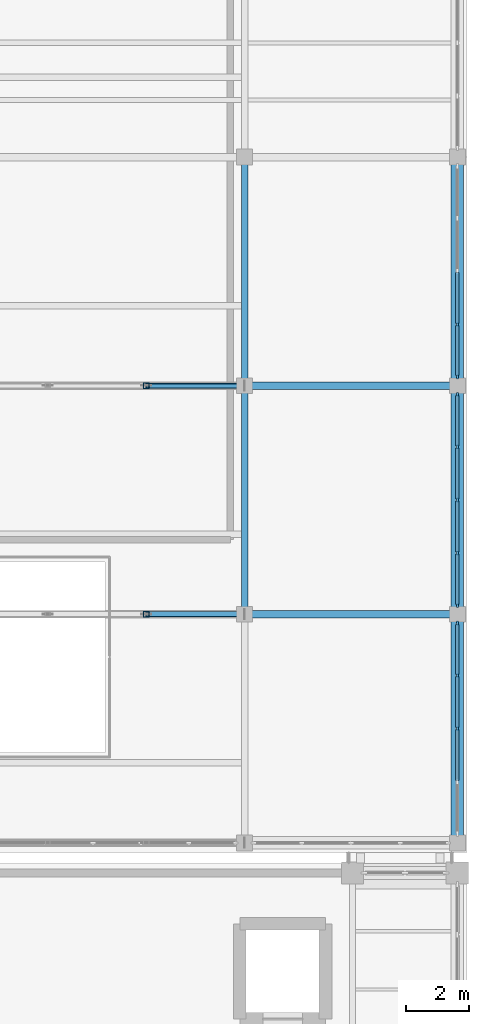
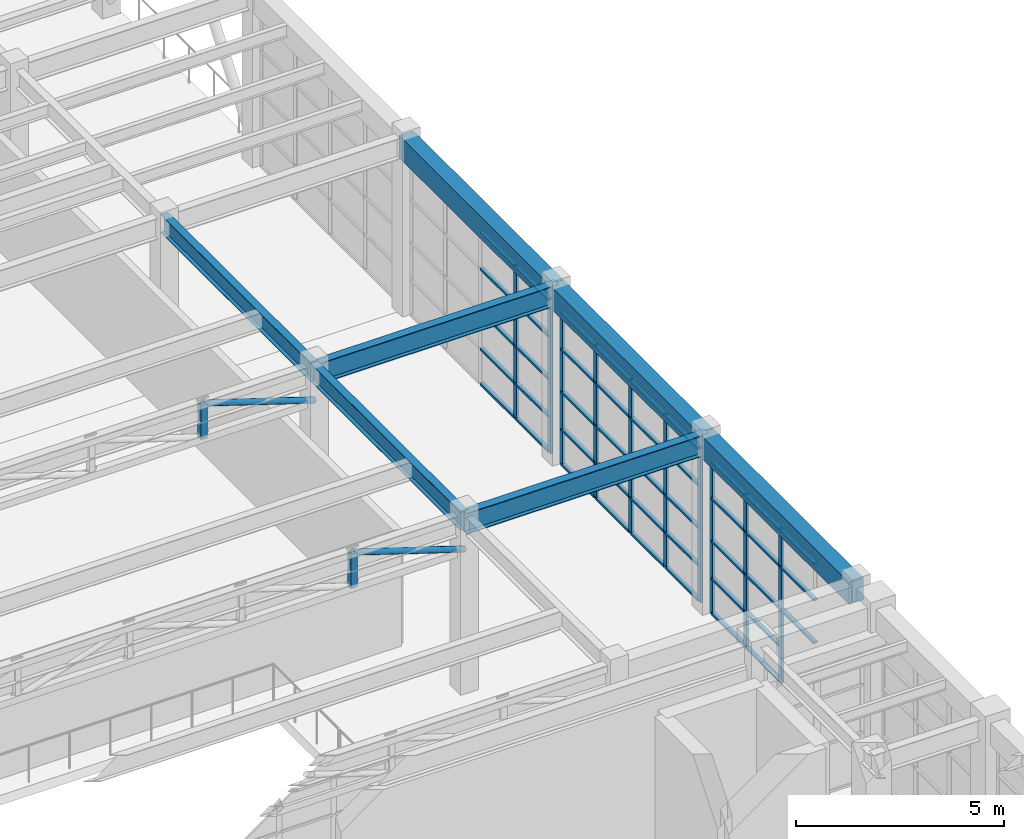
# One storey, part 52 of 103: 57 members, 7 beams, 3 elements without a shape of their own.
"""IFC4 building model written with IfcOpenShell, lengths in metres."""

from ifc_helpers import new_model, si_unit, direction, frame, origin, origin_2d, place, context, subcontext, project, spatial, rectangle, hollow_rectangle, hollow_circle, i_section, extrude, material, layer, layer_set, material_profile, profile_set, type_object, element, aggregate, save


model = new_model("IFC4")

# Units and contexts
model_context = context("Model", 3, precision=1e-05, world=origin(), true_north=direction((0.0, 1.0)))
body_context = subcontext(model_context, "Body", "Model", "MODEL_VIEW")
ifc_project = project(units=[si_unit("LENGTHUNIT", "METRE"), si_unit("AREAUNIT", "SQUARE_METRE"), si_unit("VOLUMEUNIT", "CUBIC_METRE"), si_unit("PLANEANGLEUNIT", "RADIAN"), si_unit("MASSUNIT", "GRAM", prefix="KILO")], contexts=[model_context])

# Site, building, storey
site_placement = place(None, origin())
site = spatial("IfcSite", under=ifc_project, at=site_placement, CompositionType="ELEMENT")
building_placement = place(site_placement, origin())
building = spatial("IfcBuilding", under=site, at=building_placement, Name="Candilejo Ridge Gondola Terminal", CompositionType="ELEMENT")
storey_placement = place(building_placement, frame((0.0, 0.0, 9.0)))
storey = spatial("IfcBuildingStorey", under=building, at=storey_placement, Name="L02", CompositionType="ELEMENT", Elevation=9.0)

# Curtain wall, members
ifc_material_1 = material(Name="Anodised aluminium AA 6063-T6", Category="aluminium")
ifc_layer = layer(ifc_material_1, 0.169921875)
ifc_layer_set = layer_set([ifc_layer], Name="ARC-CW-TOWER-3000-670X449")
curtain_wall_type = type_object("IfcCurtainWallType", Name="ARC-CW-TOWER-3000-670X449", PredefinedType="NOTDEFINED", material=ifc_layer_set)
curtain_wall_1_placement = place(storey_placement, origin())
curtain_wall_1 = element("IfcCurtainWall", 1, at=curtain_wall_1_placement, inside=storey, type_object=curtain_wall_type, Name="Curtain wall V5 L02-175", PredefinedType="NOTDEFINED")
ifc_material_2 = material(Name="Anodised aluminium AA 6063-T6", Category="aluminium")
ifc_material_profile_1 = material_profile(ifc_material_2, rectangle(XDim=0.06494140625, YDim=0.14990234375, at=origin_2d()))
ifc_profile_set_1 = profile_set([ifc_material_profile_1], Name="Anodised aluminium AA 6063-T6")
member_type_1 = type_object("IfcMemberType", Name="ARC-CW-MULLION-150", PredefinedType="MULLION", material=ifc_profile_set_1)
member_1_placement = place(storey_placement, frame((175.300048828125, 52.25, 0.0), z_axis=(0.0, 0.0, 1.0), x_axis=(-1.0, 0.0, 0.0)))
member_1 = element("IfcMember", 2, at=member_1_placement, type_object=member_type_1, Name="CW-67X44 mullion 3", PredefinedType="MULLION", context=body_context, shape_type="SweptSolid", body=[
    extrude(rectangle(XDim=0.06494140625, YDim=0.14990234375, at=origin_2d()), origin(), (0.0, 0.0, 1.0), 4.489990234375),
])
member_2_placement = place(storey_placement, frame((175.300048828125, 53.925048828125, 0.0), z_axis=(0.0, 0.0, 1.0), x_axis=(-1.0, 0.0, 0.0)))
member_2 = element("IfcMember", 3, at=member_2_placement, type_object=member_type_1, Name="CW-67X44 mullion 4", PredefinedType="MULLION", context=body_context, shape_type="SweptSolid", body=[
    extrude(rectangle(XDim=0.06494140625, YDim=0.14990234375, at=origin_2d()), origin(), (0.0, 0.0, 1.0), 4.489990234375),
])
member_3_placement = place(storey_placement, frame((175.300048828125, 55.5673828125, 0.0), z_axis=(0.0, 0.0, 1.0), x_axis=(-1.0, 0.0, 0.0)))
member_3 = element("IfcMember", 4, at=member_3_placement, type_object=member_type_1, Name="CW-67X44 mullion 5", PredefinedType="MULLION", context=body_context, shape_type="SweptSolid", body=[
    extrude(rectangle(XDim=0.06494140625, YDim=0.14990234375, at=origin_2d()), origin(), (0.0, 0.0, 1.0), 4.489990234375),
])

curtain_wall_2_placement = place(storey_placement, origin())
curtain_wall_2 = element("IfcCurtainWall", 5, at=curtain_wall_2_placement, inside=storey, type_object=curtain_wall_type, Name="Curtain wall V5 L02-177", PredefinedType="NOTDEFINED")
member_4_placement = place(storey_placement, frame((175.300048828125, 56.132568359375, 0.0), z_axis=(0.0, 0.0, 1.0), x_axis=(-1.0, 0.0, 0.0)))
member_4 = element("IfcMember", 6, at=member_4_placement, type_object=member_type_1, Name="CW-67X44 mullion 1", PredefinedType="MULLION", context=body_context, shape_type="SweptSolid", body=[
    extrude(rectangle(XDim=0.06494140625, YDim=0.14990234375, at=origin_2d()), origin(), (0.0, 0.0, 1.0), 4.489990234375),
])
member_5_placement = place(storey_placement, frame((175.300048828125, 57.77490234375, 0.0), z_axis=(0.0, 0.0, 1.0), x_axis=(-1.0, 0.0, 0.0)))
member_5 = element("IfcMember", 7, at=member_5_placement, type_object=member_type_1, Name="CW-67X44 mullion 2", PredefinedType="MULLION", context=body_context, shape_type="SweptSolid", body=[
    extrude(rectangle(XDim=0.06494140625, YDim=0.14990234375, at=origin_2d()), origin(), (0.0, 0.0, 1.0), 4.489990234375),
])
member_6_placement = place(storey_placement, frame((175.300048828125, 59.449951171875, 0.0), z_axis=(0.0, 0.0, 1.0), x_axis=(-1.0, 0.0, 0.0)))
member_6 = element("IfcMember", 8, at=member_6_placement, type_object=member_type_1, Name="CW-67X44 mullion 3", PredefinedType="MULLION", context=body_context, shape_type="SweptSolid", body=[
    extrude(rectangle(XDim=0.06494140625, YDim=0.14990234375, at=origin_2d()), origin(), (0.0, 0.0, 1.0), 4.489990234375),
])
member_7_placement = place(storey_placement, frame((175.300048828125, 61.125, 0.0), z_axis=(0.0, 0.0, 1.0), x_axis=(-1.0, 0.0, 0.0)))
member_7 = element("IfcMember", 9, at=member_7_placement, type_object=member_type_1, Name="CW-67X44 mullion 4", PredefinedType="MULLION", context=body_context, shape_type="SweptSolid", body=[
    extrude(rectangle(XDim=0.06494140625, YDim=0.14990234375, at=origin_2d()), origin(), (0.0, 0.0, 1.0), 4.489990234375),
])
member_8_placement = place(storey_placement, frame((175.300048828125, 62.767578125, 0.0), z_axis=(0.0, 0.0, 1.0), x_axis=(-1.0, 0.0, 0.0)))
member_8 = element("IfcMember", 10, at=member_8_placement, type_object=member_type_1, Name="CW-67X44 mullion 5", PredefinedType="MULLION", context=body_context, shape_type="SweptSolid", body=[
    extrude(rectangle(XDim=0.06494140625, YDim=0.14990234375, at=origin_2d()), origin(), (0.0, 0.0, 1.0), 4.489990234375),
])

curtain_wall_3_placement = place(storey_placement, origin())
curtain_wall_3 = element("IfcCurtainWall", 11, at=curtain_wall_3_placement, inside=storey, type_object=curtain_wall_type, Name="Curtain wall V5 L02-179", PredefinedType="NOTDEFINED")
member_9_placement = place(storey_placement, frame((175.300048828125, 63.33251953125, 0.0), z_axis=(0.0, 0.0, 1.0), x_axis=(-1.0, 0.0, 0.0)))
member_9 = element("IfcMember", 12, at=member_9_placement, type_object=member_type_1, Name="CW-67X44 mullion 1", PredefinedType="MULLION", context=body_context, shape_type="SweptSolid", body=[
    extrude(rectangle(XDim=0.06494140625, YDim=0.14990234375, at=origin_2d()), origin(), (0.0, 0.0, 1.0), 4.489990234375),
])
member_10_placement = place(storey_placement, frame((175.300048828125, 64.97509765625, 0.0), z_axis=(0.0, 0.0, 1.0), x_axis=(-1.0, 0.0, 0.0)))
member_10 = element("IfcMember", 13, at=member_10_placement, type_object=member_type_1, Name="CW-67X44 mullion 2", PredefinedType="MULLION", context=body_context, shape_type="SweptSolid", body=[
    extrude(rectangle(XDim=0.06494140625, YDim=0.14990234375, at=origin_2d()), origin(), (0.0, 0.0, 1.0), 4.489990234375),
])

# Member
ifc_material_3 = material(Name="Anodised aluminium AA 6063-T6", Category="aluminium")
ifc_material_profile_2 = material_profile(ifc_material_3, rectangle(XDim=0.110107421875, YDim=0.06005859375, at=origin_2d()))
ifc_profile_set_2 = profile_set([ifc_material_profile_2], Name="Anodised aluminium AA 6063-T6")
member_type_2 = type_object("IfcMemberType", Name="ARC-CW-TRANSOM-110", PredefinedType="USERDEFINED", material=ifc_profile_set_2)
member_11_placement = place(storey_placement, frame((175.300048828125, 50.607421875, 2.14990234375), z_axis=(0.0, 1.0, 0.0), x_axis=(-1.0, 0.0, 0.0)))
member_11 = element("IfcMember", 14, at=member_11_placement, type_object=member_type_2, Name="CW-67X44 transom 2.3", ObjectType="TRANSOM", PredefinedType="USERDEFINED", context=body_context, shape_type="SweptSolid", body=[
    extrude(rectangle(XDim=0.110107421875, YDim=0.06005859375, at=origin_2d()), origin(), (0.0, 0.0, 1.0), 1.610107421875),
])

member_12_placement = place(storey_placement, frame((175.300048828125, 50.607421875, 3.39990234375), z_axis=(0.0, 1.0, 0.0), x_axis=(-1.0, 0.0, 0.0)))
member_12 = element("IfcMember", 15, at=member_12_placement, type_object=member_type_2, Name="CW-67X44 transom 2.4", ObjectType="TRANSOM", PredefinedType="USERDEFINED", context=body_context, shape_type="SweptSolid", body=[
    extrude(rectangle(XDim=0.110107421875, YDim=0.06005859375, at=origin_2d()), origin(), (0.0, 0.0, 1.0), 1.610107421875),
])

member_13_placement = place(storey_placement, frame((175.300048828125, 50.607421875, 4.4599609375), z_axis=(0.0, 1.0, 0.0), x_axis=(-1.0, 0.0, 0.0)))
member_13 = element("IfcMember", 16, at=member_13_placement, type_object=member_type_2, Name="CW-67X44 transom 2.5", ObjectType="TRANSOM", PredefinedType="USERDEFINED", context=body_context, shape_type="SweptSolid", body=[
    extrude(rectangle(XDim=0.110107421875, YDim=0.06005859375, at=origin_2d()), origin(), (0.0, 0.0, 1.0), 1.610107421875),
])

member_14_placement = place(storey_placement, frame((175.300048828125, 52.282470703125, 0.030029296875), z_axis=(0.0, 1.0, 0.0), x_axis=(-1.0, 0.0, 0.0)))
member_14 = element("IfcMember", 17, at=member_14_placement, type_object=member_type_2, Name="CW-67X44 transom 3.1", ObjectType="TRANSOM", PredefinedType="USERDEFINED", context=body_context, shape_type="SweptSolid", body=[
    extrude(rectangle(XDim=0.110107421875, YDim=0.06005859375, at=origin_2d()), origin(), (0.0, 0.0, 1.0), 1.610107421875),
])

member_15_placement = place(storey_placement, frame((175.300048828125, 52.282470703125, 1.050048828125), z_axis=(0.0, 1.0, 0.0), x_axis=(-1.0, 0.0, 0.0)))
member_15 = element("IfcMember", 18, at=member_15_placement, type_object=member_type_2, Name="CW-67X44 transom 3.2", ObjectType="TRANSOM", PredefinedType="USERDEFINED", context=body_context, shape_type="SweptSolid", body=[
    extrude(rectangle(XDim=0.110107421875, YDim=0.06005859375, at=origin_2d()), origin(), (0.0, 0.0, 1.0), 1.610107421875),
])

member_16_placement = place(storey_placement, frame((175.300048828125, 52.282470703125, 2.14990234375), z_axis=(0.0, 1.0, 0.0), x_axis=(-1.0, 0.0, 0.0)))
member_16 = element("IfcMember", 19, at=member_16_placement, type_object=member_type_2, Name="CW-67X44 transom 3.3", ObjectType="TRANSOM", PredefinedType="USERDEFINED", context=body_context, shape_type="SweptSolid", body=[
    extrude(rectangle(XDim=0.110107421875, YDim=0.06005859375, at=origin_2d()), origin(), (0.0, 0.0, 1.0), 1.610107421875),
])

member_17_placement = place(storey_placement, frame((175.300048828125, 52.282470703125, 3.39990234375), z_axis=(0.0, 1.0, 0.0), x_axis=(-1.0, 0.0, 0.0)))
member_17 = element("IfcMember", 20, at=member_17_placement, type_object=member_type_2, Name="CW-67X44 transom 3.4", ObjectType="TRANSOM", PredefinedType="USERDEFINED", context=body_context, shape_type="SweptSolid", body=[
    extrude(rectangle(XDim=0.110107421875, YDim=0.06005859375, at=origin_2d()), origin(), (0.0, 0.0, 1.0), 1.610107421875),
])

member_18_placement = place(storey_placement, frame((175.300048828125, 52.282470703125, 4.4599609375), z_axis=(0.0, 1.0, 0.0), x_axis=(-1.0, 0.0, 0.0)))
member_18 = element("IfcMember", 21, at=member_18_placement, type_object=member_type_2, Name="CW-67X44 transom 3.5", ObjectType="TRANSOM", PredefinedType="USERDEFINED", context=body_context, shape_type="SweptSolid", body=[
    extrude(rectangle(XDim=0.110107421875, YDim=0.06005859375, at=origin_2d()), origin(), (0.0, 0.0, 1.0), 1.610107421875),
])

member_19_placement = place(storey_placement, frame((175.300048828125, 53.95751953125, 0.030029296875), z_axis=(0.0, 1.0, 0.0), x_axis=(-1.0, 0.0, 0.0)))
member_19 = element("IfcMember", 22, at=member_19_placement, type_object=member_type_2, Name="CW-67X44 transom 4.1", ObjectType="TRANSOM", PredefinedType="USERDEFINED", context=body_context, shape_type="SweptSolid", body=[
    extrude(rectangle(XDim=0.110107421875, YDim=0.06005859375, at=origin_2d()), origin(), (0.0, 0.0, 1.0), 1.577392578125),
])

member_20_placement = place(storey_placement, frame((175.300048828125, 53.95751953125, 1.050048828125), z_axis=(0.0, 1.0, 0.0), x_axis=(-1.0, 0.0, 0.0)))
member_20 = element("IfcMember", 23, at=member_20_placement, type_object=member_type_2, Name="CW-67X44 transom 4.2", ObjectType="TRANSOM", PredefinedType="USERDEFINED", context=body_context, shape_type="SweptSolid", body=[
    extrude(rectangle(XDim=0.110107421875, YDim=0.06005859375, at=origin_2d()), origin(), (0.0, 0.0, 1.0), 1.577392578125),
])

member_21_placement = place(storey_placement, frame((175.300048828125, 53.95751953125, 2.14990234375), z_axis=(0.0, 1.0, 0.0), x_axis=(-1.0, 0.0, 0.0)))
member_21 = element("IfcMember", 24, at=member_21_placement, type_object=member_type_2, Name="CW-67X44 transom 4.3", ObjectType="TRANSOM", PredefinedType="USERDEFINED", context=body_context, shape_type="SweptSolid", body=[
    extrude(rectangle(XDim=0.110107421875, YDim=0.06005859375, at=origin_2d()), origin(), (0.0, 0.0, 1.0), 1.577392578125),
])

member_22_placement = place(storey_placement, frame((175.300048828125, 53.95751953125, 3.39990234375), z_axis=(0.0, 1.0, 0.0), x_axis=(-1.0, 0.0, 0.0)))
member_22 = element("IfcMember", 25, at=member_22_placement, type_object=member_type_2, Name="CW-67X44 transom 4.4", ObjectType="TRANSOM", PredefinedType="USERDEFINED", context=body_context, shape_type="SweptSolid", body=[
    extrude(rectangle(XDim=0.110107421875, YDim=0.06005859375, at=origin_2d()), origin(), (0.0, 0.0, 1.0), 1.577392578125),
])

member_23_placement = place(storey_placement, frame((175.300048828125, 53.95751953125, 4.4599609375), z_axis=(0.0, 1.0, 0.0), x_axis=(-1.0, 0.0, 0.0)))
member_23 = element("IfcMember", 26, at=member_23_placement, type_object=member_type_2, Name="CW-67X44 transom 4.5", ObjectType="TRANSOM", PredefinedType="USERDEFINED", context=body_context, shape_type="SweptSolid", body=[
    extrude(rectangle(XDim=0.110107421875, YDim=0.06005859375, at=origin_2d()), origin(), (0.0, 0.0, 1.0), 1.577392578125),
])

aggregate(curtain_wall_1, [member_1, member_2, member_3, member_11, member_12, member_13, member_14, member_15, member_16, member_17, member_18, member_19, member_20, member_21, member_22, member_23])

member_24_placement = place(storey_placement, frame((175.300048828125, 56.1650390625, 0.030029296875), z_axis=(0.0, 1.0, 0.0), x_axis=(-1.0, 0.0, 0.0)))
member_24 = element("IfcMember", 27, at=member_24_placement, type_object=member_type_2, Name="CW-67X44 transom 1.1", ObjectType="TRANSOM", PredefinedType="USERDEFINED", context=body_context, shape_type="SweptSolid", body=[
    extrude(rectangle(XDim=0.110107421875, YDim=0.06005859375, at=origin_2d()), origin(), (0.0, 0.0, 1.0), 1.577392578125),
])

member_25_placement = place(storey_placement, frame((175.300048828125, 56.1650390625, 1.050048828125), z_axis=(0.0, 1.0, 0.0), x_axis=(-1.0, 0.0, 0.0)))
member_25 = element("IfcMember", 28, at=member_25_placement, type_object=member_type_2, Name="CW-67X44 transom 1.2", ObjectType="TRANSOM", PredefinedType="USERDEFINED", context=body_context, shape_type="SweptSolid", body=[
    extrude(rectangle(XDim=0.110107421875, YDim=0.06005859375, at=origin_2d()), origin(), (0.0, 0.0, 1.0), 1.577392578125),
])

member_26_placement = place(storey_placement, frame((175.300048828125, 56.1650390625, 2.14990234375), z_axis=(0.0, 1.0, 0.0), x_axis=(-1.0, 0.0, 0.0)))
member_26 = element("IfcMember", 29, at=member_26_placement, type_object=member_type_2, Name="CW-67X44 transom 1.3", ObjectType="TRANSOM", PredefinedType="USERDEFINED", context=body_context, shape_type="SweptSolid", body=[
    extrude(rectangle(XDim=0.110107421875, YDim=0.06005859375, at=origin_2d()), origin(), (0.0, 0.0, 1.0), 1.577392578125),
])

member_27_placement = place(storey_placement, frame((175.300048828125, 56.1650390625, 3.39990234375), z_axis=(0.0, 1.0, 0.0), x_axis=(-1.0, 0.0, 0.0)))
member_27 = element("IfcMember", 30, at=member_27_placement, type_object=member_type_2, Name="CW-67X44 transom 1.4", ObjectType="TRANSOM", PredefinedType="USERDEFINED", context=body_context, shape_type="SweptSolid", body=[
    extrude(rectangle(XDim=0.110107421875, YDim=0.06005859375, at=origin_2d()), origin(), (0.0, 0.0, 1.0), 1.577392578125),
])

member_28_placement = place(storey_placement, frame((175.300048828125, 56.1650390625, 4.4599609375), z_axis=(0.0, 1.0, 0.0), x_axis=(-1.0, 0.0, 0.0)))
member_28 = element("IfcMember", 31, at=member_28_placement, type_object=member_type_2, Name="CW-67X44 transom 1.5", ObjectType="TRANSOM", PredefinedType="USERDEFINED", context=body_context, shape_type="SweptSolid", body=[
    extrude(rectangle(XDim=0.110107421875, YDim=0.06005859375, at=origin_2d()), origin(), (0.0, 0.0, 1.0), 1.577392578125),
])

member_29_placement = place(storey_placement, frame((175.300048828125, 57.8076171875, 0.030029296875), z_axis=(0.0, 1.0, 0.0), x_axis=(-1.0, 0.0, 0.0)))
member_29 = element("IfcMember", 32, at=member_29_placement, type_object=member_type_2, Name="CW-67X44 transom 2.1", ObjectType="TRANSOM", PredefinedType="USERDEFINED", context=body_context, shape_type="SweptSolid", body=[
    extrude(rectangle(XDim=0.110107421875, YDim=0.06005859375, at=origin_2d()), origin(), (0.0, 0.0, 1.0), 1.60986328125),
])

member_30_placement = place(storey_placement, frame((175.300048828125, 57.8076171875, 1.050048828125), z_axis=(0.0, 1.0, 0.0), x_axis=(-1.0, 0.0, 0.0)))
member_30 = element("IfcMember", 33, at=member_30_placement, type_object=member_type_2, Name="CW-67X44 transom 2.2", ObjectType="TRANSOM", PredefinedType="USERDEFINED", context=body_context, shape_type="SweptSolid", body=[
    extrude(rectangle(XDim=0.110107421875, YDim=0.06005859375, at=origin_2d()), origin(), (0.0, 0.0, 1.0), 1.60986328125),
])

member_31_placement = place(storey_placement, frame((175.300048828125, 57.8076171875, 2.14990234375), z_axis=(0.0, 1.0, 0.0), x_axis=(-1.0, 0.0, 0.0)))
member_31 = element("IfcMember", 34, at=member_31_placement, type_object=member_type_2, Name="CW-67X44 transom 2.3", ObjectType="TRANSOM", PredefinedType="USERDEFINED", context=body_context, shape_type="SweptSolid", body=[
    extrude(rectangle(XDim=0.110107421875, YDim=0.06005859375, at=origin_2d()), origin(), (0.0, 0.0, 1.0), 1.60986328125),
])

member_32_placement = place(storey_placement, frame((175.300048828125, 57.8076171875, 3.39990234375), z_axis=(0.0, 1.0, 0.0), x_axis=(-1.0, 0.0, 0.0)))
member_32 = element("IfcMember", 35, at=member_32_placement, type_object=member_type_2, Name="CW-67X44 transom 2.4", ObjectType="TRANSOM", PredefinedType="USERDEFINED", context=body_context, shape_type="SweptSolid", body=[
    extrude(rectangle(XDim=0.110107421875, YDim=0.06005859375, at=origin_2d()), origin(), (0.0, 0.0, 1.0), 1.60986328125),
])

member_33_placement = place(storey_placement, frame((175.300048828125, 57.8076171875, 4.4599609375), z_axis=(0.0, 1.0, 0.0), x_axis=(-1.0, 0.0, 0.0)))
member_33 = element("IfcMember", 36, at=member_33_placement, type_object=member_type_2, Name="CW-67X44 transom 2.5", ObjectType="TRANSOM", PredefinedType="USERDEFINED", context=body_context, shape_type="SweptSolid", body=[
    extrude(rectangle(XDim=0.110107421875, YDim=0.06005859375, at=origin_2d()), origin(), (0.0, 0.0, 1.0), 1.60986328125),
])

member_34_placement = place(storey_placement, frame((175.300048828125, 59.482421875, 0.030029296875), z_axis=(0.0, 1.0, 0.0), x_axis=(-1.0, 0.0, 0.0)))
member_34 = element("IfcMember", 37, at=member_34_placement, type_object=member_type_2, Name="CW-67X44 transom 3.1", ObjectType="TRANSOM", PredefinedType="USERDEFINED", context=body_context, shape_type="SweptSolid", body=[
    extrude(rectangle(XDim=0.110107421875, YDim=0.06005859375, at=origin_2d()), origin(), (0.0, 0.0, 1.0), 1.610107421875),
])

member_35_placement = place(storey_placement, frame((175.300048828125, 59.482421875, 1.050048828125), z_axis=(0.0, 1.0, 0.0), x_axis=(-1.0, 0.0, 0.0)))
member_35 = element("IfcMember", 38, at=member_35_placement, type_object=member_type_2, Name="CW-67X44 transom 3.2", ObjectType="TRANSOM", PredefinedType="USERDEFINED", context=body_context, shape_type="SweptSolid", body=[
    extrude(rectangle(XDim=0.110107421875, YDim=0.06005859375, at=origin_2d()), origin(), (0.0, 0.0, 1.0), 1.610107421875),
])

member_36_placement = place(storey_placement, frame((175.300048828125, 59.482421875, 2.14990234375), z_axis=(0.0, 1.0, 0.0), x_axis=(-1.0, 0.0, 0.0)))
member_36 = element("IfcMember", 39, at=member_36_placement, type_object=member_type_2, Name="CW-67X44 transom 3.3", ObjectType="TRANSOM", PredefinedType="USERDEFINED", context=body_context, shape_type="SweptSolid", body=[
    extrude(rectangle(XDim=0.110107421875, YDim=0.06005859375, at=origin_2d()), origin(), (0.0, 0.0, 1.0), 1.610107421875),
])

member_37_placement = place(storey_placement, frame((175.300048828125, 59.482421875, 3.39990234375), z_axis=(0.0, 1.0, 0.0), x_axis=(-1.0, 0.0, 0.0)))
member_37 = element("IfcMember", 40, at=member_37_placement, type_object=member_type_2, Name="CW-67X44 transom 3.4", ObjectType="TRANSOM", PredefinedType="USERDEFINED", context=body_context, shape_type="SweptSolid", body=[
    extrude(rectangle(XDim=0.110107421875, YDim=0.06005859375, at=origin_2d()), origin(), (0.0, 0.0, 1.0), 1.610107421875),
])

member_38_placement = place(storey_placement, frame((175.300048828125, 59.482421875, 4.4599609375), z_axis=(0.0, 1.0, 0.0), x_axis=(-1.0, 0.0, 0.0)))
member_38 = element("IfcMember", 41, at=member_38_placement, type_object=member_type_2, Name="CW-67X44 transom 3.5", ObjectType="TRANSOM", PredefinedType="USERDEFINED", context=body_context, shape_type="SweptSolid", body=[
    extrude(rectangle(XDim=0.110107421875, YDim=0.06005859375, at=origin_2d()), origin(), (0.0, 0.0, 1.0), 1.610107421875),
])

member_39_placement = place(storey_placement, frame((175.300048828125, 61.157470703125, 0.030029296875), z_axis=(0.0, 1.0, 0.0), x_axis=(-1.0, 0.0, 0.0)))
member_39 = element("IfcMember", 42, at=member_39_placement, type_object=member_type_2, Name="CW-67X44 transom 4.1", ObjectType="TRANSOM", PredefinedType="USERDEFINED", context=body_context, shape_type="SweptSolid", body=[
    extrude(rectangle(XDim=0.110107421875, YDim=0.06005859375, at=origin_2d()), origin(), (0.0, 0.0, 1.0), 1.57763671875),
])

member_40_placement = place(storey_placement, frame((175.300048828125, 61.157470703125, 1.050048828125), z_axis=(0.0, 1.0, 0.0), x_axis=(-1.0, 0.0, 0.0)))
member_40 = element("IfcMember", 43, at=member_40_placement, type_object=member_type_2, Name="CW-67X44 transom 4.2", ObjectType="TRANSOM", PredefinedType="USERDEFINED", context=body_context, shape_type="SweptSolid", body=[
    extrude(rectangle(XDim=0.110107421875, YDim=0.06005859375, at=origin_2d()), origin(), (0.0, 0.0, 1.0), 1.57763671875),
])

member_41_placement = place(storey_placement, frame((175.300048828125, 61.157470703125, 2.14990234375), z_axis=(0.0, 1.0, 0.0), x_axis=(-1.0, 0.0, 0.0)))
member_41 = element("IfcMember", 44, at=member_41_placement, type_object=member_type_2, Name="CW-67X44 transom 4.3", ObjectType="TRANSOM", PredefinedType="USERDEFINED", context=body_context, shape_type="SweptSolid", body=[
    extrude(rectangle(XDim=0.110107421875, YDim=0.06005859375, at=origin_2d()), origin(), (0.0, 0.0, 1.0), 1.57763671875),
])

member_42_placement = place(storey_placement, frame((175.300048828125, 61.157470703125, 3.39990234375), z_axis=(0.0, 1.0, 0.0), x_axis=(-1.0, 0.0, 0.0)))
member_42 = element("IfcMember", 45, at=member_42_placement, type_object=member_type_2, Name="CW-67X44 transom 4.4", ObjectType="TRANSOM", PredefinedType="USERDEFINED", context=body_context, shape_type="SweptSolid", body=[
    extrude(rectangle(XDim=0.110107421875, YDim=0.06005859375, at=origin_2d()), origin(), (0.0, 0.0, 1.0), 1.57763671875),
])

member_43_placement = place(storey_placement, frame((175.300048828125, 61.157470703125, 4.4599609375), z_axis=(0.0, 1.0, 0.0), x_axis=(-1.0, 0.0, 0.0)))
member_43 = element("IfcMember", 46, at=member_43_placement, type_object=member_type_2, Name="CW-67X44 transom 4.5", ObjectType="TRANSOM", PredefinedType="USERDEFINED", context=body_context, shape_type="SweptSolid", body=[
    extrude(rectangle(XDim=0.110107421875, YDim=0.06005859375, at=origin_2d()), origin(), (0.0, 0.0, 1.0), 1.57763671875),
])

aggregate(curtain_wall_2, [member_4, member_5, member_6, member_7, member_8, member_24, member_25, member_26, member_27, member_28, member_29, member_30, member_31, member_32, member_33, member_34, member_35, member_36, member_37, member_38, member_39, member_40, member_41, member_42, member_43])

member_44_placement = place(storey_placement, frame((175.300048828125, 63.364990234375, 0.030029296875), z_axis=(0.0, 1.0, 0.0), x_axis=(-1.0, 0.0, 0.0)))
member_44 = element("IfcMember", 47, at=member_44_placement, type_object=member_type_2, Name="CW-67X44 transom 1.1", ObjectType="TRANSOM", PredefinedType="USERDEFINED", context=body_context, shape_type="SweptSolid", body=[
    extrude(rectangle(XDim=0.110107421875, YDim=0.06005859375, at=origin_2d()), origin(), (0.0, 0.0, 1.0), 1.577392578125),
])

member_45_placement = place(storey_placement, frame((175.300048828125, 63.364990234375, 1.050048828125), z_axis=(0.0, 1.0, 0.0), x_axis=(-1.0, 0.0, 0.0)))
member_45 = element("IfcMember", 48, at=member_45_placement, type_object=member_type_2, Name="CW-67X44 transom 1.2", ObjectType="TRANSOM", PredefinedType="USERDEFINED", context=body_context, shape_type="SweptSolid", body=[
    extrude(rectangle(XDim=0.110107421875, YDim=0.06005859375, at=origin_2d()), origin(), (0.0, 0.0, 1.0), 1.577392578125),
])

member_46_placement = place(storey_placement, frame((175.300048828125, 63.364990234375, 2.14990234375), z_axis=(0.0, 1.0, 0.0), x_axis=(-1.0, 0.0, 0.0)))
member_46 = element("IfcMember", 49, at=member_46_placement, type_object=member_type_2, Name="CW-67X44 transom 1.3", ObjectType="TRANSOM", PredefinedType="USERDEFINED", context=body_context, shape_type="SweptSolid", body=[
    extrude(rectangle(XDim=0.110107421875, YDim=0.06005859375, at=origin_2d()), origin(), (0.0, 0.0, 1.0), 1.577392578125),
])

member_47_placement = place(storey_placement, frame((175.300048828125, 63.364990234375, 3.39990234375), z_axis=(0.0, 1.0, 0.0), x_axis=(-1.0, 0.0, 0.0)))
member_47 = element("IfcMember", 50, at=member_47_placement, type_object=member_type_2, Name="CW-67X44 transom 1.4", ObjectType="TRANSOM", PredefinedType="USERDEFINED", context=body_context, shape_type="SweptSolid", body=[
    extrude(rectangle(XDim=0.110107421875, YDim=0.06005859375, at=origin_2d()), origin(), (0.0, 0.0, 1.0), 1.577392578125),
])

member_48_placement = place(storey_placement, frame((175.300048828125, 63.364990234375, 4.4599609375), z_axis=(0.0, 1.0, 0.0), x_axis=(-1.0, 0.0, 0.0)))
member_48 = element("IfcMember", 51, at=member_48_placement, type_object=member_type_2, Name="CW-67X44 transom 1.5", ObjectType="TRANSOM", PredefinedType="USERDEFINED", context=body_context, shape_type="SweptSolid", body=[
    extrude(rectangle(XDim=0.110107421875, YDim=0.06005859375, at=origin_2d()), origin(), (0.0, 0.0, 1.0), 1.577392578125),
])

member_49_placement = place(storey_placement, frame((175.300048828125, 65.007568359375, 0.030029296875), z_axis=(0.0, 1.0, 0.0), x_axis=(-1.0, 0.0, 0.0)))
member_49 = element("IfcMember", 52, at=member_49_placement, type_object=member_type_2, Name="CW-67X44 transom 2.1", ObjectType="TRANSOM", PredefinedType="USERDEFINED", context=body_context, shape_type="SweptSolid", body=[
    extrude(rectangle(XDim=0.110107421875, YDim=0.06005859375, at=origin_2d()), origin(), (0.0, 0.0, 1.0), 1.60986328125),
])

member_50_placement = place(storey_placement, frame((175.300048828125, 65.007568359375, 1.050048828125), z_axis=(0.0, 1.0, 0.0), x_axis=(-1.0, 0.0, 0.0)))
member_50 = element("IfcMember", 53, at=member_50_placement, type_object=member_type_2, Name="CW-67X44 transom 2.2", ObjectType="TRANSOM", PredefinedType="USERDEFINED", context=body_context, shape_type="SweptSolid", body=[
    extrude(rectangle(XDim=0.110107421875, YDim=0.06005859375, at=origin_2d()), origin(), (0.0, 0.0, 1.0), 1.60986328125),
])

member_51_placement = place(storey_placement, frame((175.300048828125, 65.007568359375, 2.14990234375), z_axis=(0.0, 1.0, 0.0), x_axis=(-1.0, 0.0, 0.0)))
member_51 = element("IfcMember", 54, at=member_51_placement, type_object=member_type_2, Name="CW-67X44 transom 2.3", ObjectType="TRANSOM", PredefinedType="USERDEFINED", context=body_context, shape_type="SweptSolid", body=[
    extrude(rectangle(XDim=0.110107421875, YDim=0.06005859375, at=origin_2d()), origin(), (0.0, 0.0, 1.0), 1.60986328125),
])

member_52_placement = place(storey_placement, frame((175.300048828125, 65.007568359375, 3.39990234375), z_axis=(0.0, 1.0, 0.0), x_axis=(-1.0, 0.0, 0.0)))
member_52 = element("IfcMember", 55, at=member_52_placement, type_object=member_type_2, Name="CW-67X44 transom 2.4", ObjectType="TRANSOM", PredefinedType="USERDEFINED", context=body_context, shape_type="SweptSolid", body=[
    extrude(rectangle(XDim=0.110107421875, YDim=0.06005859375, at=origin_2d()), origin(), (0.0, 0.0, 1.0), 1.60986328125),
])

member_53_placement = place(storey_placement, frame((175.300048828125, 65.007568359375, 4.4599609375), z_axis=(0.0, 1.0, 0.0), x_axis=(-1.0, 0.0, 0.0)))
member_53 = element("IfcMember", 56, at=member_53_placement, type_object=member_type_2, Name="CW-67X44 transom 2.5", ObjectType="TRANSOM", PredefinedType="USERDEFINED", context=body_context, shape_type="SweptSolid", body=[
    extrude(rectangle(XDim=0.110107421875, YDim=0.06005859375, at=origin_2d()), origin(), (0.0, 0.0, 1.0), 1.60986328125),
])

aggregate(curtain_wall_3, [member_9, member_10, member_44, member_45, member_46, member_47, member_48, member_49, member_50, member_51, member_52, member_53])

# Beams
ifc_material_4 = material(Name="Steel ASTM A992 Grade 50", Category="steel")
ifc_material_profile_3 = material_profile(ifc_material_4, i_section(OverallWidth=0.208984375, OverallDepth=0.532958984375, WebThickness=0.01025390625, FlangeThickness=0.015625, at=origin_2d()))
ifc_profile_set_3 = profile_set([ifc_material_profile_3], Name="Steel ASTM A992 Grade 50")
beam_type_1 = type_object("IfcBeamType", Name="STR-BM-W530X92", PredefinedType="BEAM", material=ifc_profile_set_3)
for number, where, z_axis, x_axis, name in (
    (57, (168.60009765625, 55.85009765625, 4.8935546875), (0.0, 1.0, 0.0), (-1.0, 0.0, 0.0), "Beam Y V5 L02 Y11-Y12@X25"),
    (58, (168.60009765625, 63.050048828125, 4.8935546875), (0.0, 1.0, 0.0), (-1.0, 0.0, 0.0), "Beam Y V5 L02 Y12-Y13@X25"),
):
    element("IfcBeam", number, at=place(storey_placement, frame(where, z_axis=z_axis, x_axis=x_axis)), inside=storey, type_object=beam_type_1, Name=name, PredefinedType="BEAM", context=body_context, shape_type="SweptSolid", body=[
        extrude(i_section(OverallWidth=0.208984375, OverallDepth=0.532958984375, WebThickness=0.01025390625, FlangeThickness=0.015625, at=origin_2d()), origin(), (0.0, 0.0, 1.0), 7.199951171875),
    ])
ifc_material_5 = material(Name="Steel ASTM A992 Grade 50", Category="steel")
ifc_material_profile_4 = material_profile(ifc_material_5, i_section(OverallWidth=0.22900390625, OverallDepth=0.612060546875, WebThickness=0.011962890625, FlangeThickness=0.01953125, at=origin_2d()))
ifc_profile_set_4 = profile_set([ifc_material_profile_4], Name="Steel ASTM A992 Grade 50")
beam_type_2 = type_object("IfcBeamType", Name="STR-BM-W610X125", PredefinedType="BEAM", material=ifc_profile_set_4)
for number, where, z_axis, x_axis, name in (
    (59, (168.60009765625, 55.85009765625, 4.85400390625), (1.0, 0.0, 0.0), (0.0, 1.0, 0.0), "Beam X V5 L02 X25-X27@Y11"),
    (60, (168.60009765625, 63.050048828125, 4.85400390625), (1.0, 0.0, 0.0), (0.0, 1.0, 0.0), "Beam X V5 L02 X25-X27@Y12"),
):
    element("IfcBeam", number, at=place(storey_placement, frame(where, z_axis=z_axis, x_axis=x_axis)), inside=storey, type_object=beam_type_2, Name=name, PredefinedType="BEAM", context=body_context, shape_type="SweptSolid", body=[
        extrude(i_section(OverallWidth=0.22900390625, OverallDepth=0.612060546875, WebThickness=0.011962890625, FlangeThickness=0.01953125, at=origin_2d()), origin(), (0.0, 0.0, 1.0), 6.699951171875),
    ])

# Members
ifc_material_6 = material(Name="Steel ASTM A500 Grade C", Category="steel")
ifc_material_profile_5 = material_profile(ifc_material_6, hollow_circle(Radius=0.084228515625, WallThickness=0.007080078125, at=origin_2d()))
ifc_profile_set_5 = profile_set([ifc_material_profile_5], Name="Steel ASTM A500 Grade C")
member_type_3 = type_object("IfcMemberType", Name="STR-BRC-CHS168", PredefinedType="BRACE", material=ifc_profile_set_5)
for number, where, z_axis, x_axis, name in (
    (61, (168.60009765625, 55.85009765625, 4.050048828125), (-0.951711443346, 0.0, 0.306994020471), (0.0, -1.0, 0.0), "Garage truss diagonal 02-06"),
    (62, (168.60009765625, 63.050048828125, 4.050048828125), (-0.951711443346, 0.0, 0.306994020471), (0.0, -1.0, 0.0), "Garage truss diagonal 03-06"),
):
    element("IfcMember", number, at=place(storey_placement, frame(where, z_axis=z_axis, x_axis=x_axis)), inside=storey, type_object=member_type_3, Name=name, PredefinedType="BRACE", context=body_context, shape_type="SweptSolid", body=[
        extrude(hollow_circle(Radius=0.084228515625, WallThickness=0.007080078125, at=origin_2d()), origin(), (0.0, 0.0, 1.0), 3.25732421875),
    ])
ifc_material_7 = material(Name="Steel ASTM A500 Grade C", Category="steel")
ifc_material_profile_6 = material_profile(ifc_material_7, hollow_rectangle(XDim=0.179931640625, YDim=0.179931640625, WallThickness=0.00634765625, at=origin_2d()))
ifc_profile_set_6 = profile_set([ifc_material_profile_6], Name="Steel ASTM A500 Grade C")
member_type_4 = type_object("IfcMemberType", Name="STR-PST-HSS180", PredefinedType="POST", material=ifc_profile_set_6)
for number, where, z_axis, x_axis, name in (
    (63, (165.5, 55.85009765625, 4.050048828125), (0.0, 0.0, 1.0), (1.0, 0.0, 0.0), "Garage truss post 02-05"),
    (64, (165.5, 63.050048828125, 4.050048828125), (0.0, 0.0, 1.0), (1.0, 0.0, 0.0), "Garage truss post 03-05"),
):
    element("IfcMember", number, at=place(storey_placement, frame(where, z_axis=z_axis, x_axis=x_axis)), inside=storey, type_object=member_type_4, Name=name, PredefinedType="POST", context=body_context, shape_type="SweptSolid", body=[
        extrude(hollow_rectangle(XDim=0.179931640625, YDim=0.179931640625, WallThickness=0.00634765625, at=origin_2d()), origin(), (0.0, 0.0, 1.0), 1.0),
    ])

# Beams
ifc_material_8 = material(Name="Concrete f'c 35 MPa (C35/45)", Category="concrete")
ifc_material_profile_7 = material_profile(ifc_material_8, rectangle(XDim=0.39990234375, YDim=0.64990234375, at=origin_2d()))
ifc_profile_set_7 = profile_set([ifc_material_profile_7], Name="Concrete f'c 35 MPa (C35/45)")
beam_type_3 = type_object("IfcBeamType", Name="STR-SPN-RC400X650", PredefinedType="SPANDREL", material=ifc_profile_set_7)
beam_placement = place(storey_placement, frame((175.300048828125, 48.64990234375, 4.8349609375), z_axis=(0.0, 1.0, 0.0), x_axis=(-1.0, 0.0, 0.0)))
element("IfcBeam", 65, at=beam_placement, inside=storey, type_object=beam_type_3, Name="Beam Y V5 L02 Y10-Y11@X27", PredefinedType="SPANDREL", context=body_context, shape_type="SweptSolid", body=[
    extrude(rectangle(XDim=0.39990234375, YDim=0.64990234375, at=origin_2d()), origin(), (0.0, 0.0, 1.0), 7.2001953125),
])
for number, where, z_axis, x_axis, name in (
    (66, (175.300048828125, 55.85009765625, 4.8349609375), (0.0, 1.0, 0.0), (-1.0, 0.0, 0.0), "Beam Y V5 L02 Y11-Y12@X27"),
    (67, (175.300048828125, 63.050048828125, 4.8349609375), (0.0, 1.0, 0.0), (-1.0, 0.0, 0.0), "Beam Y V5 L02 Y12-Y13@X27"),
):
    element("IfcBeam", number, at=place(storey_placement, frame(where, z_axis=z_axis, x_axis=x_axis)), inside=storey, type_object=beam_type_3, Name=name, PredefinedType="SPANDREL", context=body_context, shape_type="SweptSolid", body=[
        extrude(rectangle(XDim=0.39990234375, YDim=0.64990234375, at=origin_2d()), origin(), (0.0, 0.0, 1.0), 7.199951171875),
    ])

save(model, "model.ifc")
